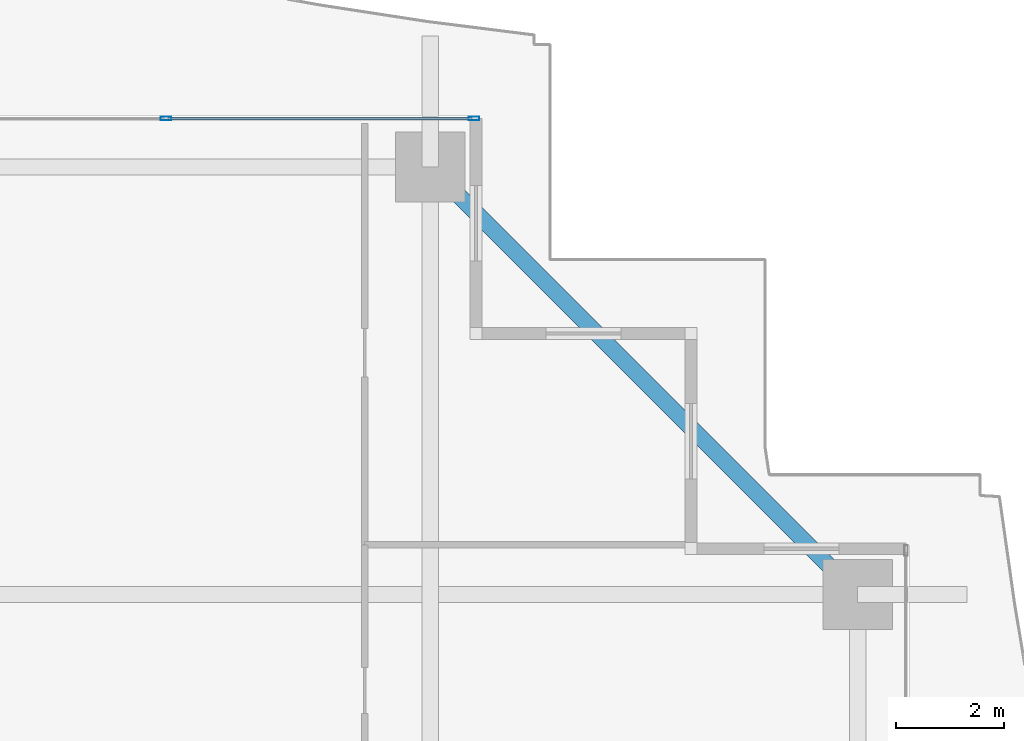
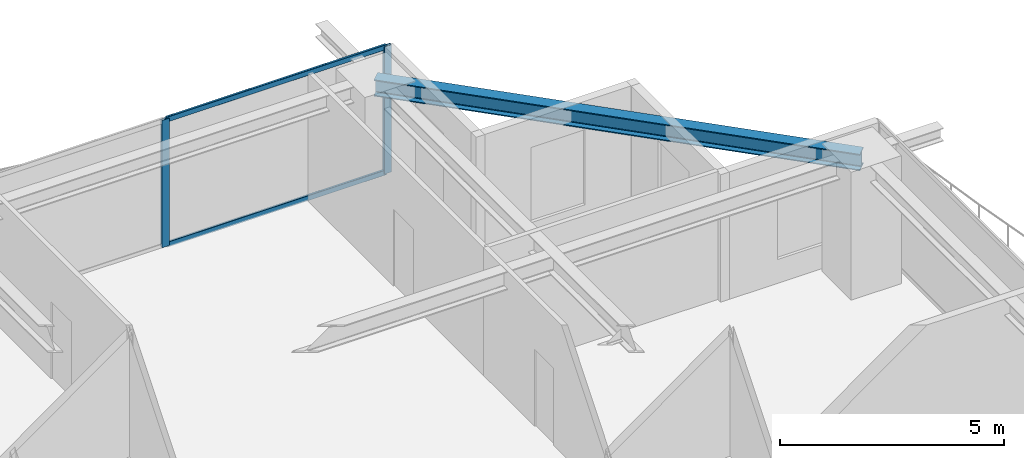
# One storey, part 21 of 34: 4 members, 1 beam, 1 element without a shape of its own.
"""IFC4 building model written with IfcOpenShell, lengths in metres."""

from ifc_helpers import new_model, si_unit, direction, frame, origin, origin_2d, place, context, subcontext, project, spatial, hollow_rectangle, i_section, extrude, source, transform, mapped, material, layer, layer_set, material_profile, profile_set, type_object, element, aggregate, save


model = new_model("IFC4")

# Units and contexts
model_context = context("Model", 3, precision=1e-05, world=origin(), true_north=direction((0.0, 1.0)))
body_context = subcontext(model_context, "Body", "Model", "MODEL_VIEW")
ifc_project = project(units=[si_unit("LENGTHUNIT", "METRE"), si_unit("AREAUNIT", "SQUARE_METRE"), si_unit("VOLUMEUNIT", "CUBIC_METRE"), si_unit("PLANEANGLEUNIT", "RADIAN"), si_unit("MASSUNIT", "GRAM", prefix="KILO")], contexts=[model_context])

# Site, building, storey
site_placement = place(None, origin())
site = spatial("IfcSite", under=ifc_project, at=site_placement, CompositionType="ELEMENT")
building_placement = place(site_placement, origin())
building = spatial("IfcBuilding", under=site, at=building_placement, Name="Serunith Strait Residences", CompositionType="ELEMENT")
storey_placement = place(building_placement, frame((0.0, 0.0, 180.14990234375)))
storey = spatial("IfcBuildingStorey", under=building, at=storey_placement, Name="L45", CompositionType="ELEMENT", Elevation=180.14990234375)

# Beam
ifc_material_1 = material(Name="Steel S355J2", Category="steel")
ifc_material_profile_1 = material_profile(ifc_material_1, i_section(OverallWidth=0.300048828125, OverallDepth=0.449951171875, WebThickness=0.013916015625, FlangeThickness=0.02587890625, FilletRadius=0.027099609375, at=origin_2d()), Name="HEB 450")
ifc_profile_set_1 = profile_set([ifc_material_profile_1], Name="Steel S355J2")
beam_type = type_object("IfcBeamType", Name="BM-HEB450", PredefinedType="BEAM", material=ifc_profile_set_1)
shared_shape_1 = source(origin(), body_context, "Body", "SweptSolid", [
    extrude(i_section(OverallWidth=0.300048828125, OverallDepth=0.449951171875, WebThickness=0.013916015625, FlangeThickness=0.02587890625, FilletRadius=0.027099609375, at=origin_2d()), origin(), (0.0, 0.0, 1.0), 11.2431640625),
])
beam_placement = place(storey_placement, frame((56.10009765625, 40.14990234375, 3.232177734375), z_axis=(-0.707106781187, 0.707106781187, 0.0), x_axis=(-0.707106781187, -0.707106781187, 0.0)))
element("IfcBeam", 1, at=beam_placement, inside=storey, type_object=beam_type, Name="L45 Perimeter Ring Beam 08", PredefinedType="BEAM", context=body_context, shape_type="MappedRepresentation", body=[
    mapped(shared_shape_1, transform((0.0, 0.0, 0.0), scale=1.0)),
])

# Curtain wall, members
ifc_material_2 = material(Name="Pale-Champagne Anodised Aluminium", Category="aluminium")
ifc_layer = layer(ifc_material_2, 0.199951171875, Name="Pale-Champagne Anodised Aluminium")
ifc_layer_set = layer_set([ifc_layer], Name="Pale-Champagne Anodised Aluminium")
curtain_wall_type = type_object("IfcCurtainWallType", Name="CW-SYS2", PredefinedType="NOTDEFINED", material=ifc_layer_set)
curtain_wall_placement = place(storey_placement, origin())
curtain_wall = element("IfcCurtainWall", 2, at=curtain_wall_placement, inside=storey, type_object=curtain_wall_type, Name="L45 N Unitised Fritted Curtain Wall", PredefinedType="NOTDEFINED")
ifc_material_profile_2 = material_profile(ifc_material_2, hollow_rectangle(XDim=0.070068359375, YDim=0.199951171875, WallThickness=0.00390625, InnerFilletRadius=0.006103515625, OuterFilletRadius=0.010009765625, at=origin_2d()), Name="ALU 200x70x4")
ifc_profile_set_2 = profile_set([ifc_material_profile_2], Name="Pale-Champagne Anodised Aluminium")
member_type_1 = type_object("IfcMemberType", Name="CW-SYS2-MULL", PredefinedType="MULLION", material=ifc_profile_set_2)
shared_shape_2 = source(origin(), body_context, "Body", "SweptSolid", [
    extrude(hollow_rectangle(XDim=0.070068359375, YDim=0.199951171875, WallThickness=0.00390625, InnerFilletRadius=0.006103515625, OuterFilletRadius=0.010009765625, at=origin_2d()), origin(), (0.0, 0.0, 1.0), 3.47509765625),
])
member_1_placement = place(storey_placement, frame((48.965087890625, 49.0, 0.0), z_axis=(0.0, 0.0, 1.0), x_axis=(0.0, -1.0, 0.0)))
member_1 = element("IfcMember", 3, at=member_1_placement, type_object=member_type_1, Name="CW-2 mullion 1", PredefinedType="MULLION", context=body_context, shape_type="MappedRepresentation", body=[
    mapped(shared_shape_2, transform((0.0, 0.0, 0.0), scale=1.0)),
])
member_2_placement = place(storey_placement, frame((43.2333984375, 49.0, 0.0), z_axis=(0.0, 0.0, 1.0), x_axis=(0.0, -1.0, 0.0)))
member_2 = element("IfcMember", 4, at=member_2_placement, type_object=member_type_1, Name="CW-2 mullion 2", PredefinedType="MULLION", context=body_context, shape_type="MappedRepresentation", body=[
    mapped(shared_shape_2, transform((0.0, 0.0, 0.0), scale=1.0)),
])
ifc_material_profile_3 = material_profile(ifc_material_2, hollow_rectangle(XDim=0.06005859375, YDim=0.139892578125, WallThickness=0.00341796875, InnerFilletRadius=0.00537109375, OuterFilletRadius=0.0087890625, at=origin_2d()), Name="ALU 140x60x3.5")
ifc_profile_set_3 = profile_set([ifc_material_profile_3], Name="Pale-Champagne Anodised Aluminium")
member_type_2 = type_object("IfcMemberType", Name="CW-SYS2-TRAN", PredefinedType="USERDEFINED", material=ifc_profile_set_3)
shared_shape_3 = source(origin(), body_context, "Body", "SweptSolid", [
    extrude(hollow_rectangle(XDim=0.06005859375, YDim=0.139892578125, WallThickness=0.00341796875, InnerFilletRadius=0.00537109375, OuterFilletRadius=0.0087890625, at=origin_2d()), origin(), (0.0, 0.0, 1.0), 5.66162109375),
])
member_3_placement = place(storey_placement, frame((48.929931640625, 49.0, 0.030029296875), z_axis=(-1.0, 0.0, 0.0), x_axis=(0.0, -1.0, 0.0)))
member_3 = element("IfcMember", 5, at=member_3_placement, type_object=member_type_2, Name="CW-2 transom 1.1", ObjectType="TRANSOM", PredefinedType="USERDEFINED", context=body_context, shape_type="MappedRepresentation", body=[
    mapped(shared_shape_3, transform((0.0, 0.0, 0.0), scale=1.0)),
])
member_4_placement = place(storey_placement, frame((48.929931640625, 49.0, 3.445068359375), z_axis=(-1.0, 0.0, 0.0), x_axis=(0.0, -1.0, 0.0)))
member_4 = element("IfcMember", 6, at=member_4_placement, type_object=member_type_2, Name="CW-2 transom 1.2", ObjectType="TRANSOM", PredefinedType="USERDEFINED", context=body_context, shape_type="MappedRepresentation", body=[
    mapped(shared_shape_3, transform((0.0, 0.0, 0.0), scale=1.0)),
])
aggregate(curtain_wall, [member_1, member_2, member_3, member_4])

save(model, "model.ifc")
